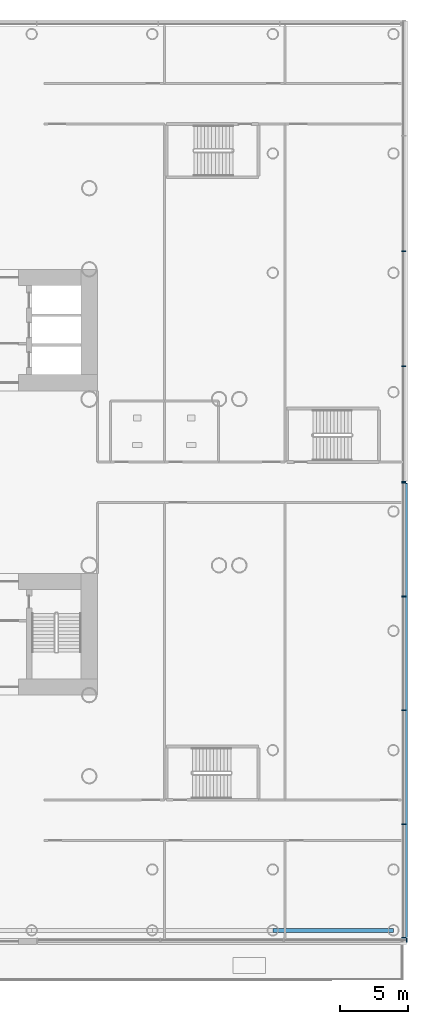
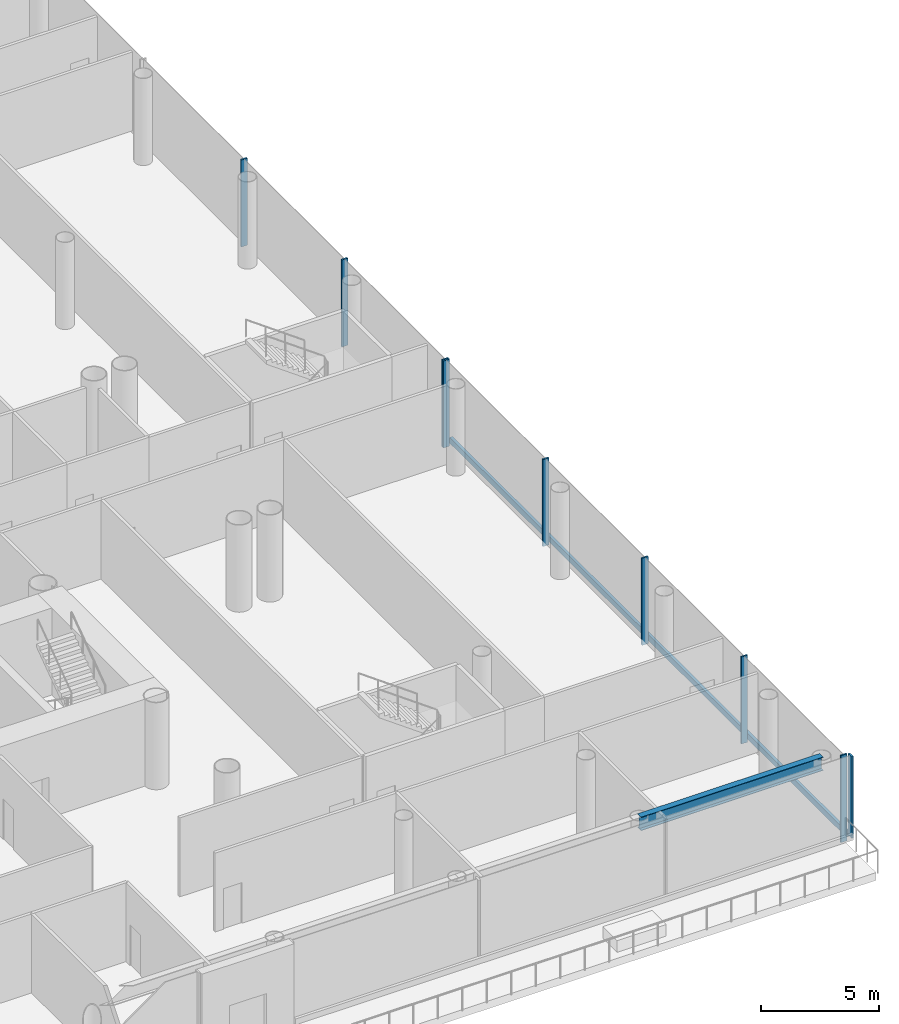
# One storey, part 13 of 51: 10 members, 1 beam, 3 elements without a shape of their own.
"""IFC4 building model written with IfcOpenShell, lengths in metres."""

from ifc_helpers import new_model, si_unit, direction, frame, origin, origin_2d, place, context, subcontext, project, spatial, rectangle, i_section, extrude, material, layer, layer_set, material_profile, profile_set, type_object, element, aggregate, save


model = new_model("IFC4")

# Units and contexts
model_context = context("Model", 3, precision=1e-05, world=origin(), true_north=direction((0.0, 1.0)))
body_context = subcontext(model_context, "Body", "Model", "MODEL_VIEW")
ifc_project = project(units=[si_unit("LENGTHUNIT", "METRE"), si_unit("AREAUNIT", "SQUARE_METRE"), si_unit("VOLUMEUNIT", "CUBIC_METRE"), si_unit("PLANEANGLEUNIT", "RADIAN"), si_unit("MASSUNIT", "GRAM", prefix="KILO")], contexts=[model_context])

# Site, building, storey
site_placement = place(None, origin())
site = spatial("IfcSite", under=ifc_project, at=site_placement, CompositionType="ELEMENT")
building_placement = place(site_placement, origin())
building = spatial("IfcBuilding", under=site, at=building_placement, Name="Ipe Terrace Towers", CompositionType="ELEMENT")
storey_placement = place(building_placement, frame((0.0, 0.0, 15.5)))
storey = spatial("IfcBuildingStorey", under=building, at=storey_placement, Name="L03", CompositionType="ELEMENT", Elevation=15.5)

# Beam
ifc_material_1 = material(Name="Steel S355", Category="steel")
ifc_material_profile_1 = material_profile(ifc_material_1, i_section(OverallWidth=0.300048828125, OverallDepth=0.699951171875, WebThickness=0.012939453125, FlangeThickness=0.02392578125, at=origin_2d()), Name="H-700x300x13x24")
ifc_profile_set_1 = profile_set([ifc_material_profile_1], Name="Steel S355")
beam_type = type_object("IfcBeamType", Name="H13 DECK EDGE BEAM H-700x300x13x24", PredefinedType="BEAM", material=ifc_profile_set_1)
beam_placement = place(storey_placement, frame((55.72998046875, -33.14990234375, 3.72998046875), z_axis=(1.0, 0.0, 0.0), x_axis=(0.0, 1.0, 0.0)))
element("IfcBeam", 1, at=beam_placement, inside=storey, type_object=beam_type, Name="Deck edge beam PD-TB-C15-C16", PredefinedType="BEAM", context=body_context, shape_type="SweptSolid", body=[
    extrude(i_section(OverallWidth=0.300048828125, OverallDepth=0.699951171875, WebThickness=0.012939453125, FlangeThickness=0.02392578125, at=origin_2d()), origin(), (0.0, 0.0, 1.0), 8.919921875),
])

# Curtain wall, members
ifc_material_2 = material(Name="Aluminium alloy 6063-T6", Category="aluminium")
ifc_layer = layer(ifc_material_2, 0.43994140625)
ifc_layer_set = layer_set([ifc_layer], Name="PODIUM GLAZING CURTAIN WALL")
curtain_wall_type = type_object("IfcCurtainWallType", Name="PODIUM GLAZING CURTAIN WALL", PredefinedType="NOTDEFINED", material=ifc_layer_set)
curtain_wall_1_placement = place(storey_placement, origin())
curtain_wall_1 = element("IfcCurtainWall", 2, at=curtain_wall_1_placement, inside=storey, type_object=curtain_wall_type, Name="POD-CW-L03-00a curtain wall", PredefinedType="NOTDEFINED")
ifc_material_3 = material(Name="Aluminium alloy 6063-T6", Category="aluminium")
ifc_material_profile_2 = material_profile(ifc_material_3, rectangle(XDim=0.300048828125, YDim=0.080078125, at=origin_2d()), Name="PODIUM GLAZING MULLION 300 x 80")
ifc_profile_set_2 = profile_set([ifc_material_profile_2], Name="Aluminium alloy 6063-T6")
member_type_1 = type_object("IfcMemberType", Name="PODIUM GLAZING MULLION 300 x 80", PredefinedType="MULLION", material=ifc_profile_set_2)
member_1_placement = place(storey_placement, frame((65.39990234375, -33.7099609375, -0.300048828125), z_axis=(0.0, 0.0, 1.0), x_axis=(1.0, 0.0, 0.0)))
member_1 = element("IfcMember", 3, at=member_1_placement, type_object=member_type_1, Name="POD-CW-L03-00a mullion 1", PredefinedType="MULLION", context=body_context, shape_type="SweptSolid", body=[
    extrude(rectangle(XDim=0.300048828125, YDim=0.080078125, at=origin_2d()), origin(), (0.0, 0.0, 1.0), 4.5),
])
member_2_placement = place(storey_placement, frame((65.39990234375, -25.29248046875, -0.300048828125), z_axis=(0.0, 0.0, 1.0), x_axis=(1.0, 0.0, 0.0)))
member_2 = element("IfcMember", 4, at=member_2_placement, type_object=member_type_1, Name="POD-CW-L03-00a mullion 2", PredefinedType="MULLION", context=body_context, shape_type="SweptSolid", body=[
    extrude(rectangle(XDim=0.300048828125, YDim=0.080078125, at=origin_2d()), origin(), (0.0, 0.0, 1.0), 4.5),
])
member_3_placement = place(storey_placement, frame((65.39990234375, -16.875, -0.300048828125), z_axis=(0.0, 0.0, 1.0), x_axis=(1.0, 0.0, 0.0)))
member_3 = element("IfcMember", 5, at=member_3_placement, type_object=member_type_1, Name="POD-CW-L03-00a mullion 3", PredefinedType="MULLION", context=body_context, shape_type="SweptSolid", body=[
    extrude(rectangle(XDim=0.300048828125, YDim=0.080078125, at=origin_2d()), origin(), (0.0, 0.0, 1.0), 4.5),
])
member_4_placement = place(storey_placement, frame((65.39990234375, -8.45751953125, -0.300048828125), z_axis=(0.0, 0.0, 1.0), x_axis=(1.0, 0.0, 0.0)))
member_4 = element("IfcMember", 6, at=member_4_placement, type_object=member_type_1, Name="POD-CW-L03-00a mullion 4", PredefinedType="MULLION", context=body_context, shape_type="SweptSolid", body=[
    extrude(rectangle(XDim=0.300048828125, YDim=0.080078125, at=origin_2d()), origin(), (0.0, 0.0, 1.0), 4.5),
])
member_5_placement = place(storey_placement, frame((65.39990234375, -0.0400390625, -0.300048828125), z_axis=(0.0, 0.0, 1.0), x_axis=(1.0, 0.0, 0.0)))
member_5 = element("IfcMember", 7, at=member_5_placement, type_object=member_type_1, Name="POD-CW-L03-00a mullion 5", PredefinedType="MULLION", context=body_context, shape_type="SweptSolid", body=[
    extrude(rectangle(XDim=0.300048828125, YDim=0.080078125, at=origin_2d()), origin(), (0.0, 0.0, 1.0), 4.5),
])

curtain_wall_2_placement = place(storey_placement, origin())
curtain_wall_2 = element("IfcCurtainWall", 8, at=curtain_wall_2_placement, inside=storey, type_object=curtain_wall_type, Name="POD-CW-L03-00b curtain wall", PredefinedType="NOTDEFINED")
member_6_placement = place(storey_placement, frame((65.39990234375, 0.0400390625, -0.300048828125), z_axis=(0.0, 0.0, 1.0), x_axis=(1.0, 0.0, 0.0)))
member_6 = element("IfcMember", 9, at=member_6_placement, type_object=member_type_1, Name="POD-CW-L03-00b mullion 1", PredefinedType="MULLION", context=body_context, shape_type="SweptSolid", body=[
    extrude(rectangle(XDim=0.300048828125, YDim=0.080078125, at=origin_2d()), origin(), (0.0, 0.0, 1.0), 4.5),
])
member_7_placement = place(storey_placement, frame((65.39990234375, 8.5673828125, -0.300048828125), z_axis=(0.0, 0.0, 1.0), x_axis=(1.0, 0.0, 0.0)))
member_7 = element("IfcMember", 10, at=member_7_placement, type_object=member_type_1, Name="POD-CW-L03-00b mullion 2", PredefinedType="MULLION", context=body_context, shape_type="SweptSolid", body=[
    extrude(rectangle(XDim=0.300048828125, YDim=0.080078125, at=origin_2d()), origin(), (0.0, 0.0, 1.0), 4.5),
])
member_8_placement = place(storey_placement, frame((65.39990234375, 17.094970703125, -0.300048828125), z_axis=(0.0, 0.0, 1.0), x_axis=(1.0, 0.0, 0.0)))
member_8 = element("IfcMember", 11, at=member_8_placement, type_object=member_type_1, Name="POD-CW-L03-00b mullion 3", PredefinedType="MULLION", context=body_context, shape_type="SweptSolid", body=[
    extrude(rectangle(XDim=0.300048828125, YDim=0.080078125, at=origin_2d()), origin(), (0.0, 0.0, 1.0), 4.5),
])
aggregate(curtain_wall_2, [member_6, member_7, member_8])

# Curtain wall, member
curtain_wall_3_placement = place(storey_placement, origin())
curtain_wall_3 = element("IfcCurtainWall", 12, at=curtain_wall_3_placement, inside=storey, type_object=curtain_wall_type, Name="POD-CW-L03-03f curtain wall", PredefinedType="NOTDEFINED")
member_9_placement = place(storey_placement, frame((65.64990234375, -33.89990234375, -0.02001953125), z_axis=(0.0, 0.0, 1.0), x_axis=(0.0, -1.0, 0.0)))
member_9 = element("IfcMember", 13, at=member_9_placement, type_object=member_type_1, Name="POD-CW-L03-03f mullion 4", PredefinedType="MULLION", context=body_context, shape_type="SweptSolid", body=[
    extrude(rectangle(XDim=0.300048828125, YDim=0.080078125, at=origin_2d()), origin(), (0.0, 0.0, 1.0), 4.219970703125),
])
aggregate(curtain_wall_3, [member_9])

# Member
ifc_material_4 = material(Name="Aluminium alloy 6063-T6", Category="aluminium")
ifc_material_profile_3 = material_profile(ifc_material_4, rectangle(XDim=0.139892578125, YDim=0.300048828125, at=origin_2d()), Name="PODIUM GLAZING TRANSOM 140 x 300")
ifc_profile_set_3 = profile_set([ifc_material_profile_3], Name="Aluminium alloy 6063-T6")
member_type_2 = type_object("IfcMemberType", Name="PODIUM GLAZING TRANSOM 140 x 300", PredefinedType="USERDEFINED", material=ifc_profile_set_3)
member_10_placement = place(storey_placement, frame((65.6201171875, -33.669921875, 0.0), z_axis=(0.0, 1.0, 0.0), x_axis=(1.0, 0.0, 0.0)))
member_10 = element("IfcMember", 14, at=member_10_placement, type_object=member_type_2, Name="POD-CW-L03-00a transom", ObjectType="TRANSOM", PredefinedType="USERDEFINED", context=body_context, shape_type="SweptSolid", body=[
    extrude(rectangle(XDim=0.139892578125, YDim=0.300048828125, at=origin_2d()), origin(), (0.0, 0.0, 1.0), 33.58984375),
])

aggregate(curtain_wall_1, [member_1, member_2, member_3, member_4, member_5, member_10])

save(model, "model.ifc")
